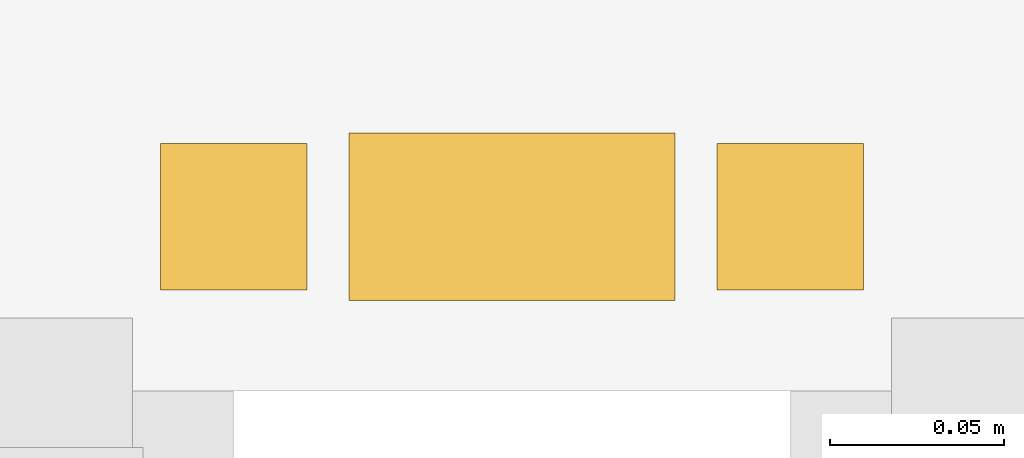
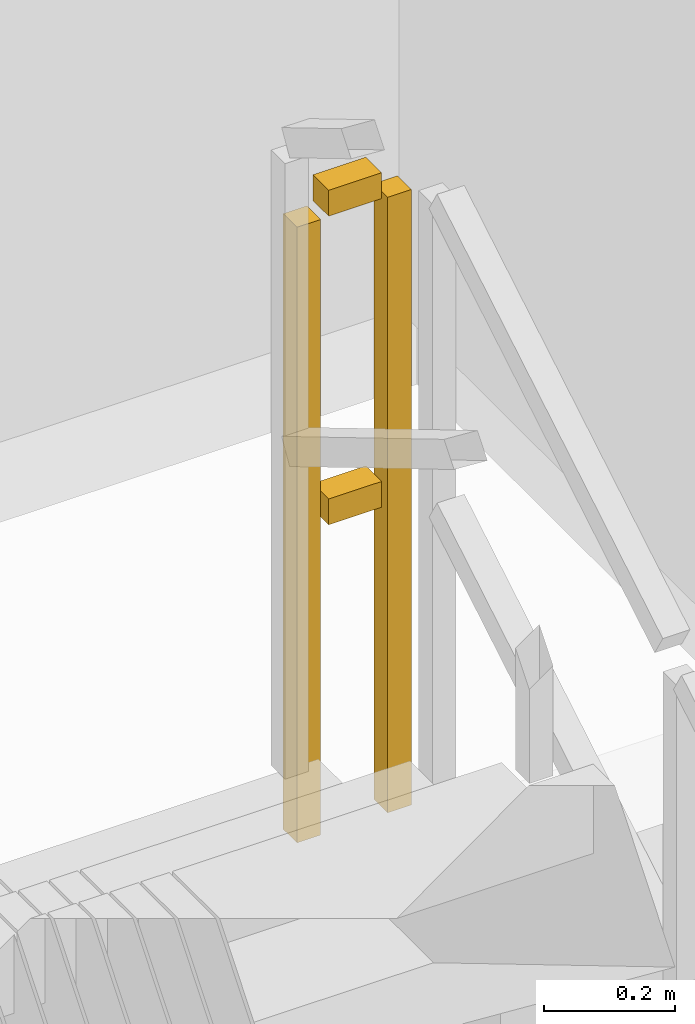
# One storey, part 12 of 12: 1 railing.
"""IFC4 building model written with IfcOpenShell, lengths in metres."""

from ifc_helpers import new_model, si_unit, direction, frame, origin, origin_2d, place, context, subcontext, project, spatial, rectangle, extrude, material, type_object, element, save


model = new_model("IFC4")

# Units and contexts
model_context = context("Model", 3, precision=1e-05, world=origin(), true_north=direction((0.0, 1.0)))
body_context = subcontext(model_context, "Body", "Model", "MODEL_VIEW")
ifc_project = project(units=[si_unit("LENGTHUNIT", "METRE"), si_unit("AREAUNIT", "SQUARE_METRE"), si_unit("VOLUMEUNIT", "CUBIC_METRE"), si_unit("PLANEANGLEUNIT", "RADIAN"), si_unit("MASSUNIT", "GRAM", prefix="KILO")], contexts=[model_context])

# Site, building, storey
site_placement = place(None, origin())
site = spatial("IfcSite", under=ifc_project, at=site_placement, CompositionType="ELEMENT")
building_placement = place(site_placement, origin())
building = spatial("IfcBuilding", under=site, at=building_placement, Name="Saelheon Loggia Tower", CompositionType="ELEMENT")
storey_placement = place(building_placement, frame((0.0, 0.0, 101.85009765625)))
storey = spatial("IfcBuildingStorey", under=building, at=storey_placement, Name="L32", CompositionType="ELEMENT", Elevation=101.85009765625)

# Railing
ifc_material = material(Name="Galvanised Steel S275 Stairwell Guardrail", Category="steel")
railing_type = type_object("IfcRailingType", Name="Guard_StairWell_RL_STG", PredefinedType="GUARDRAIL", material=ifc_material)
railing_placement = place(storey_placement, frame((42.489990234375, 32.739990234375, 1.5)))
element("IfcRailing", 1, at=railing_placement, inside=storey, type_object=railing_type, Name="L32 ST2 stair guard 2", PredefinedType="GUARDRAIL", context=body_context, shape_type="SweptSolid", body=[
    extrude(rectangle(XDim=0.048095703125, YDim=0.048095703125, at=origin_2d()), frame((-0.033203125, 0.0, 1.17578125), z_axis=(-1.0, 0.0, 0.0), x_axis=(0.0, -1.0, 0.0)), (0.0, 0.0, 1.0), 0.093505859375),
    extrude(rectangle(XDim=0.048095703125, YDim=0.048095703125, at=origin_2d()), frame((-0.033203125, 0.0, 0.60009765625), z_axis=(-1.0, 0.0, 0.0), x_axis=(0.0, -1.0, 0.0)), (0.0, 0.0, 1.0), 0.093505859375),
    extrude(rectangle(XDim=0.0419921875, YDim=0.0419921875, at=origin_2d()), origin(), (0.0, 0.0, 1.0), 1.14794921875),
    extrude(rectangle(XDim=0.0419921875, YDim=0.0419921875, at=origin_2d()), frame((-0.159912109375, 0.0, 0.0)), (0.0, 0.0, 1.0), 1.14794921875),
])

save(model, "model.ifc")
